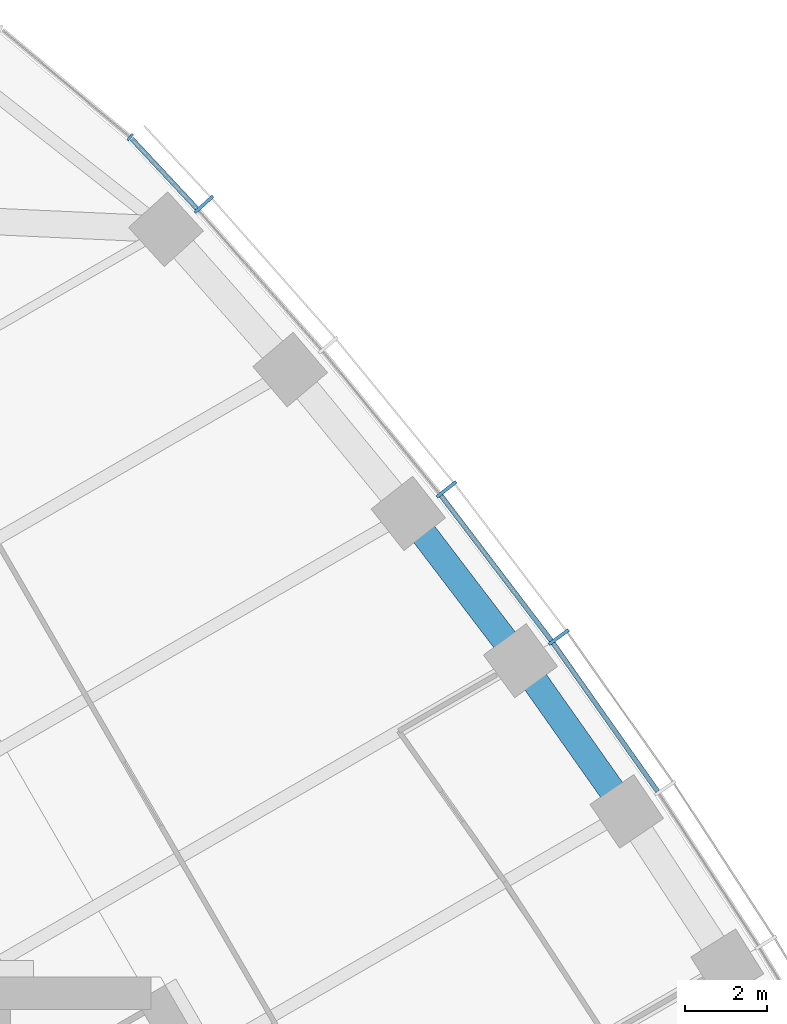
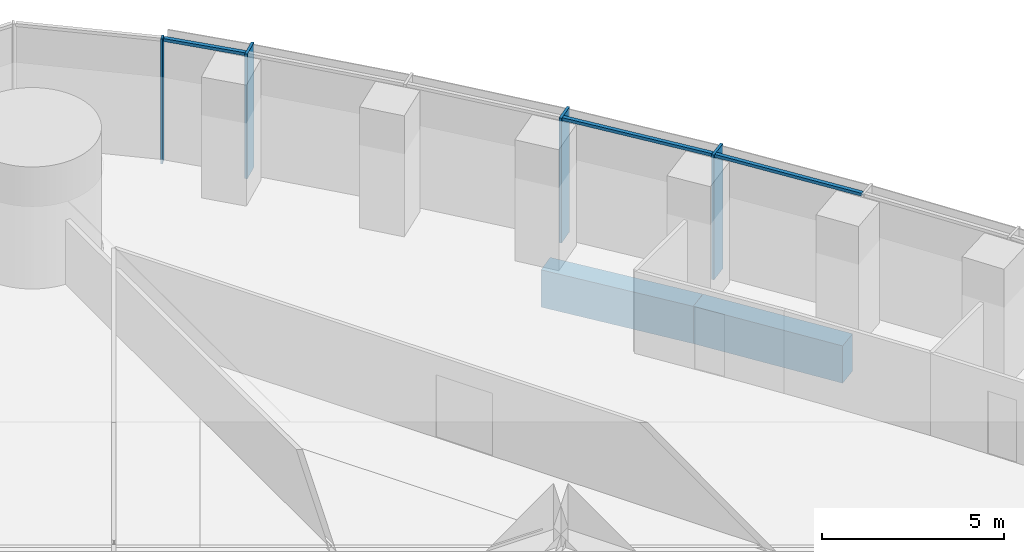
# One storey, part 7 of 19: 7 members, 2 beams, 2 elements without a shape of their own.
"""IFC4 building model written with IfcOpenShell, lengths in metres."""

from ifc_helpers import new_model, si_unit, direction, frame, origin, origin_2d, place, context, subcontext, project, spatial, rectangle, extrude, material, material_profile, profile_set, type_object, element, aggregate, save


model = new_model("IFC4")

# Units and contexts
model_context = context("Model", 3, precision=1e-05, world=origin(), true_north=direction((0.0, 1.0)))
body_context = subcontext(model_context, "Body", "Model", "MODEL_VIEW")
ifc_project = project(units=[si_unit("LENGTHUNIT", "METRE"), si_unit("AREAUNIT", "SQUARE_METRE"), si_unit("VOLUMEUNIT", "CUBIC_METRE"), si_unit("PLANEANGLEUNIT", "RADIAN"), si_unit("MASSUNIT", "GRAM", prefix="KILO")], contexts=[model_context])

# Site, building, storey
site_placement = place(None, origin())
site = spatial("IfcSite", under=ifc_project, at=site_placement, CompositionType="ELEMENT")
building_placement = place(site_placement, origin())
building = spatial("IfcBuilding", under=site, at=building_placement, Name="Trefoil Bronze Tower", CompositionType="ELEMENT")
storey_placement = place(building_placement, frame((0.0, 0.0, 119.89990234375)))
storey = spatial("IfcBuildingStorey", under=building, at=storey_placement, Name="L27", CompositionType="ELEMENT", Elevation=119.89990234375)

# Curtain wall, members
ifc_material_1 = material(Name="Tinted solar-control glass", Category="glass")
curtain_wall_type_1 = type_object("IfcCurtainWallType", Name="Bronze office curtain wall", PredefinedType="USERDEFINED", material=ifc_material_1)
curtain_wall_1_placement = place(storey_placement, origin())
curtain_wall_1 = element("IfcCurtainWall", 1, at=curtain_wall_1_placement, inside=storey, type_object=curtain_wall_type_1, Name="CW-A L27 F2", ObjectType="CURTAIN WALL", PredefinedType="USERDEFINED")
ifc_material_2 = material(Name="Bronze-finish aluminium", Category="aluminium")
ifc_material_profile_1 = material_profile(ifc_material_2, rectangle(XDim=0.60009765625, YDim=0.080078125, at=origin_2d()), Name="CW-A mullion")
ifc_profile_set_1 = profile_set([ifc_material_profile_1], Name="Bronze-finish aluminium")
member_type_1 = type_object("IfcMemberType", Name="Bronze office curtain wall mullion", PredefinedType="MULLION", material=ifc_profile_set_1)
member_1_placement = place(storey_placement, frame((15.764404296875, 24.7275390625, 0.0), z_axis=(0.0, 0.0, 1.0), x_axis=(-0.806874522901, -0.590722865897, 0.0)))
member_1 = element("IfcMember", 2, at=member_1_placement, type_object=member_type_1, Name="CW-A L27 F2 mullion 11", PredefinedType="MULLION", context=body_context, shape_type="SweptSolid", body=[
    extrude(rectangle(XDim=0.60009765625, YDim=0.080078125, at=origin_2d()), origin(), (0.0, 0.0, 1.0), 4.18017578125),
])
member_2_placement = place(storey_placement, frame((13.01220703125, 28.34716796875, 0.0), z_axis=(0.0, 0.0, 1.0), x_axis=(-0.78487913905, -0.619648882098, 0.0)))
member_2 = element("IfcMember", 3, at=member_2_placement, type_object=member_type_1, Name="CW-A L27 F2 mullion 12", PredefinedType="MULLION", context=body_context, shape_type="SweptSolid", body=[
    extrude(rectangle(XDim=0.60009765625, YDim=0.080078125, at=origin_2d()), origin(), (0.0, 0.0, 1.0), 4.18017578125),
])
member_3_placement = place(storey_placement, frame((7.070068359375, 35.332275390625, 0.0), z_axis=(0.0, 0.0, 1.0), x_axis=(-0.740360700327, -0.672209813534, 0.0)))
member_3 = element("IfcMember", 4, at=member_3_placement, type_object=member_type_1, Name="CW-A L27 F2 mullion 14", PredefinedType="MULLION", context=body_context, shape_type="SweptSolid", body=[
    extrude(rectangle(XDim=0.60009765625, YDim=0.080078125, at=origin_2d()), origin(), (0.0, 0.0, 1.0), 4.18017578125),
])
ifc_material_3 = material(Name="Bronze-finish aluminium", Category="aluminium")
ifc_material_profile_2 = material_profile(ifc_material_3, rectangle(XDim=0.1201171875, YDim=0.10009765625, at=origin_2d()), Name="CW-A transom")
ifc_profile_set_2 = profile_set([ifc_material_profile_2], Name="Bronze-finish aluminium")
member_type_2 = type_object("IfcMemberType", Name="Bronze office curtain wall transom", PredefinedType="USERDEFINED", material=ifc_profile_set_2)
member_4_placement = place(storey_placement, frame((18.18359375, 20.947021484375, 4.130126953125), z_axis=(-0.576017858824, 0.817437108478, 0.0), x_axis=(-0.817437108478, -0.576017858824, 0.0)))
member_4 = element("IfcMember", 5, at=member_4_placement, type_object=member_type_2, Name="CW-A L27 F2 transom 10", ObjectType="TRANSOM", PredefinedType="USERDEFINED", context=body_context, shape_type="SweptSolid", body=[
    extrude(rectangle(XDim=0.1201171875, YDim=0.10009765625, at=origin_2d()), origin(), (0.0, 0.0, 1.0), 4.4384765625),
])
member_5_placement = place(storey_placement, frame((15.57763671875, 24.642578125, 4.130126953125), z_axis=(-0.605229114572, 0.796051329296, 0.0), x_axis=(-0.796051329296, -0.605229114572, 0.0)))
member_5 = element("IfcMember", 6, at=member_5_placement, type_object=member_type_2, Name="CW-A L27 F2 transom 11", ObjectType="TRANSOM", PredefinedType="USERDEFINED", context=body_context, shape_type="SweptSolid", body=[
    extrude(rectangle(XDim=0.1201171875, YDim=0.10009765625, at=origin_2d()), origin(), (0.0, 0.0, 1.0), 4.456298828125),
])
member_6_placement = place(storey_placement, frame((6.893798828125, 35.22802734375, 4.130126953125), z_axis=(-0.682489214428, 0.730895664366, 0.0), x_axis=(-0.730895664366, -0.682489214428, 0.0)))
member_6 = element("IfcMember", 7, at=member_6_placement, type_object=member_type_2, Name="CW-A L27 F2 transom 14", ObjectType="TRANSOM", PredefinedType="USERDEFINED", context=body_context, shape_type="SweptSolid", body=[
    extrude(rectangle(XDim=0.1201171875, YDim=0.10009765625, at=origin_2d()), origin(), (0.0, 0.0, 1.0), 2.340087890625),
])
aggregate(curtain_wall_1, [member_1, member_2, member_3, member_4, member_5, member_6])

# Curtain wall, member
ifc_material_4 = material(Name="Tinted solar-control glass", Category="glass")
curtain_wall_type_2 = type_object("IfcCurtainWallType", Name="Bronze rounded corner curtain wall", PredefinedType="USERDEFINED", material=ifc_material_4)
curtain_wall_2_placement = place(storey_placement, origin())
curtain_wall_2 = element("IfcCurtainWall", 8, at=curtain_wall_2_placement, inside=storey, type_object=curtain_wall_type_2, Name="CW-B L27 K2", ObjectType="CURTAIN WALL", PredefinedType="USERDEFINED")
ifc_material_5 = material(Name="Bronze-finish aluminium", Category="aluminium")
ifc_material_profile_3 = material_profile(ifc_material_5, rectangle(XDim=0.199951171875, YDim=0.06005859375, at=origin_2d()), Name="CW-B mullion")
ifc_profile_set_3 = profile_set([ifc_material_profile_3], Name="Bronze-finish aluminium")
member_type_3 = type_object("IfcMemberType", Name="Bronze rounded corner curtain wall mullion", PredefinedType="MULLION", material=ifc_profile_set_3)
member_7_placement = place(storey_placement, frame((5.260498046875, 36.975830078125, 0.0), z_axis=(0.0, 0.0, 1.0), x_axis=(-0.642787609687, -0.766044443119, 0.0)))
member_7 = element("IfcMember", 9, at=member_7_placement, type_object=member_type_3, Name="CW-B L27 K2 mullion 1", PredefinedType="MULLION", context=body_context, shape_type="SweptSolid", body=[
    extrude(rectangle(XDim=0.199951171875, YDim=0.06005859375, at=origin_2d()), origin(), (0.0, 0.0, 1.0), 4.18017578125),
])
aggregate(curtain_wall_2, [member_7])

# Beams
ifc_material_6 = material(Name="Concrete B80", Category="concrete")
ifc_material_profile_4 = material_profile(ifc_material_6, rectangle(XDim=0.64990234375, YDim=1.25, at=origin_2d()), Name="RC 650x1250")
ifc_profile_set_4 = profile_set([ifc_material_profile_4], Name="Concrete B80")
beam_type = type_object("IfcBeamType", Name="Spandrel beam RC 650x1250", PredefinedType="SPANDREL", material=ifc_profile_set_4)
beam_1_placement = place(storey_placement, frame((17.43017578125, 20.45556640625, -0.824951171875), z_axis=(-0.576439228712, 0.81714002203, 0.0), x_axis=(-0.81714002203, -0.576439228712, 0.0)))
element("IfcBeam", 10, at=beam_1_placement, inside=storey, type_object=beam_type, Name="Spandrel F2.10 L27", PredefinedType="SPANDREL", context=body_context, shape_type="SweptSolid", body=[
    extrude(rectangle(XDim=0.64990234375, YDim=1.25, at=origin_2d()), origin(), (0.0, 0.0, 1.0), 4.5185546875),
])
beam_2_placement = place(storey_placement, frame((14.825439453125, 24.14794921875, -0.824951171875), z_axis=(-0.605898901788, 0.795541652468, 0.0), x_axis=(-0.795541652468, -0.605898901788, 0.0)))
element("IfcBeam", 11, at=beam_2_placement, inside=storey, type_object=beam_type, Name="Spandrel F2.11 L27", PredefinedType="SPANDREL", context=body_context, shape_type="SweptSolid", body=[
    extrude(rectangle(XDim=0.64990234375, YDim=1.25, at=origin_2d()), origin(), (0.0, 0.0, 1.0), 4.53662109375),
])

save(model, "model.ifc")
